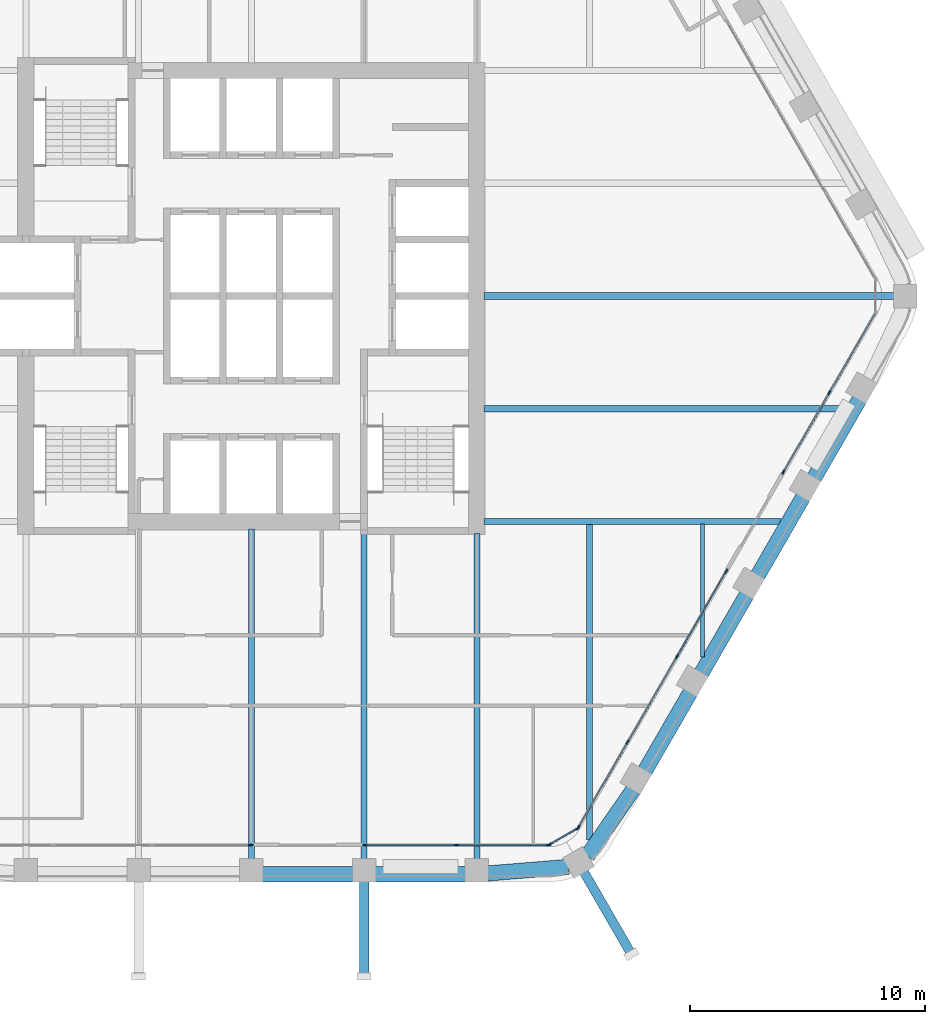
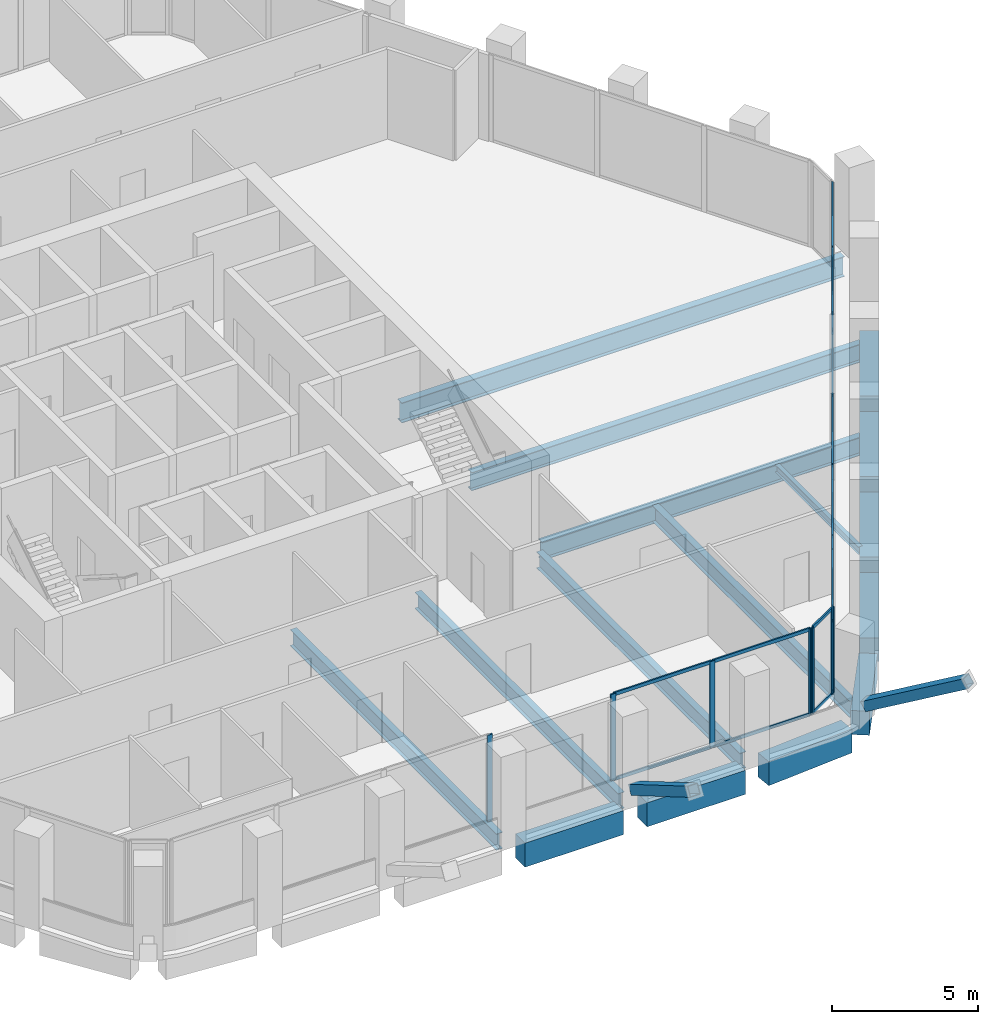
# One storey, part 4 of 16: 30 members, 16 beams, 5 elements without a shape of their own.
"""IFC4 building model written with IfcOpenShell, lengths in metres."""

from ifc_helpers import new_model, si_unit, direction, frame, origin, origin_2d, place, context, subcontext, project, spatial, rectangle, hollow_rectangle, i_section, extrude, material, material_profile, profile_set, type_object, element, aggregate, save


model = new_model("IFC4")

# Units and contexts
model_context = context("Model", 3, precision=1e-05, world=origin(), true_north=direction((0.0, 1.0)))
body_context = subcontext(model_context, "Body", "Model", "MODEL_VIEW")
ifc_project = project(units=[si_unit("LENGTHUNIT", "METRE"), si_unit("AREAUNIT", "SQUARE_METRE"), si_unit("VOLUMEUNIT", "CUBIC_METRE"), si_unit("PLANEANGLEUNIT", "RADIAN"), si_unit("MASSUNIT", "GRAM", prefix="KILO")], contexts=[model_context])

# Site, building, storey
site_placement = place(None, origin())
site = spatial("IfcSite", under=ifc_project, at=site_placement, CompositionType="ELEMENT")
building_placement = place(site_placement, origin())
building = spatial("IfcBuilding", under=site, at=building_placement, Name="Kolab Exchange Tower", CompositionType="ELEMENT")
storey_placement = place(building_placement, frame((0.0, 0.0, 209.0)))
storey = spatial("IfcBuildingStorey", under=building, at=storey_placement, Name="L45", CompositionType="ELEMENT", Elevation=209.0)

# Beams
ifc_material_1 = material(Name="Steel S355", Category="steel")
ifc_material_profile_1 = material_profile(ifc_material_1, i_section(OverallWidth=0.1650390625, OverallDepth=0.31005859375, WebThickness=0.005859375, FlangeThickness=0.009765625, at=origin_2d()), Name="W310X39")
ifc_profile_set_1 = profile_set([ifc_material_profile_1], Name="Steel S355")
beam_type_1 = type_object("IfcBeamType", Name="FLOOR BEAM W310X39", PredefinedType="BEAM", material=ifc_profile_set_1)
beam_1_placement = place(storey_placement, frame((19.199951171875, -15.36767578125, -0.304931640625), z_axis=(0.0, 1.0, 0.0), x_axis=(-1.0, 0.0, 0.0)))
element("IfcBeam", 1, at=beam_1_placement, inside=storey, type_object=beam_type_1, Name="beam/L45/fr/022", PredefinedType="BEAM", context=body_context, shape_type="SweptSolid", body=[
    extrude(i_section(OverallWidth=0.1650390625, OverallDepth=0.31005859375, WebThickness=0.005859375, FlangeThickness=0.009765625, at=origin_2d()), origin(), (0.0, 0.0, 1.0), 5.674072265625),
])
ifc_material_profile_2 = material_profile(ifc_material_1, i_section(OverallWidth=0.25390625, OverallDepth=0.68408203125, WebThickness=0.012451171875, FlangeThickness=0.018798828125, at=origin_2d()), Name="W690X140")
ifc_profile_set_2 = profile_set([ifc_material_profile_2], Name="Steel S355")
beam_type_2 = type_object("IfcBeamType", Name="FLOOR BEAM W690X140", PredefinedType="BEAM", material=ifc_profile_set_2)
beam_2_placement = place(storey_placement, frame((0.0, -23.9814453125, -0.491943359375), z_axis=(0.0, 1.0, 0.0), x_axis=(-1.0, 0.0, 0.0)))
element("IfcBeam", 2, at=beam_2_placement, inside=storey, type_object=beam_type_2, Name="beam/L45/fr/011", PredefinedType="BEAM", context=body_context, shape_type="SweptSolid", body=[
    extrude(i_section(OverallWidth=0.25390625, OverallDepth=0.68408203125, WebThickness=0.012451171875, FlangeThickness=0.018798828125, at=origin_2d()), origin(), (0.0, 0.0, 1.0), 14.071533203125),
])
for number, where, z_axis, x_axis, name in (
    (3, (4.800048828125, -23.9814453125, -0.491943359375), (0.0, 1.0, 0.0), (-1.0, 0.0, 0.0), "beam/L45/fr/013"),
    (4, (9.60009765625, -23.9814453125, -0.491943359375), (0.0, 1.0, 0.0), (-1.0, 0.0, 0.0), "beam/L45/fr/015"),
):
    element("IfcBeam", number, at=place(storey_placement, frame(where, z_axis=z_axis, x_axis=x_axis)), inside=storey, type_object=beam_type_2, Name=name, PredefinedType="BEAM", context=body_context, shape_type="SweptSolid", body=[
        extrude(i_section(OverallWidth=0.25390625, OverallDepth=0.68408203125, WebThickness=0.012451171875, FlangeThickness=0.018798828125, at=origin_2d()), origin(), (0.0, 0.0, 1.0), 13.871337890625),
    ])
beam_3_placement = place(storey_placement, frame((14.39990234375, -23.15576171875, -0.491943359375), z_axis=(0.0, 1.0, 0.0), x_axis=(-1.0, 0.0, 0.0)))
element("IfcBeam", 5, at=beam_3_placement, inside=storey, type_object=beam_type_2, Name="beam/L45/fr/020", PredefinedType="BEAM", context=body_context, shape_type="SweptSolid", body=[
    extrude(i_section(OverallWidth=0.25390625, OverallDepth=0.68408203125, WebThickness=0.012451171875, FlangeThickness=0.018798828125, at=origin_2d()), origin(), (0.0, 0.0, 1.0), 13.462158203125),
])
ifc_material_profile_3 = material_profile(ifc_material_1, i_section(OverallWidth=0.26708984375, OverallDepth=0.761962890625, WebThickness=0.014404296875, FlangeThickness=0.021484375, at=origin_2d()), Name="W760X173")
ifc_profile_set_3 = profile_set([ifc_material_profile_3], Name="Steel S355")
beam_type_3 = type_object("IfcBeamType", Name="FLOOR BEAM W760X173", PredefinedType="BEAM", material=ifc_profile_set_3)
beam_4_placement = place(storey_placement, frame((9.909912109375, -4.800048828125, -0.531005859375), z_axis=(1.0, 0.0, 0.0), x_axis=(0.0, 1.0, 0.0)))
element("IfcBeam", 6, at=beam_4_placement, inside=storey, type_object=beam_type_3, Name="beam/L45/fr/017", PredefinedType="BEAM", context=body_context, shape_type="SweptSolid", body=[
    extrude(i_section(OverallWidth=0.26708984375, OverallDepth=0.761962890625, WebThickness=0.014404296875, FlangeThickness=0.021484375, at=origin_2d()), origin(), (0.0, 0.0, 1.0), 15.408203125),
])
ifc_material_profile_4 = material_profile(ifc_material_1, i_section(OverallWidth=0.2919921875, OverallDepth=0.840087890625, WebThickness=0.0146484375, FlangeThickness=0.021728515625, at=origin_2d()), Name="W840X193")
ifc_profile_set_4 = profile_set([ifc_material_profile_4], Name="Steel S355")
beam_type_4 = type_object("IfcBeamType", Name="FLOOR BEAM W840X193", PredefinedType="BEAM", material=ifc_profile_set_4)
beam_5_placement = place(storey_placement, frame((9.909912109375, 0.0, -0.570068359375), z_axis=(1.0, 0.0, 0.0), x_axis=(0.0, 1.0, 0.0)))
element("IfcBeam", 7, at=beam_5_placement, inside=storey, type_object=beam_type_4, Name="beam/L45/fr/018", PredefinedType="BEAM", context=body_context, shape_type="SweptSolid", body=[
    extrude(i_section(OverallWidth=0.2919921875, OverallDepth=0.840087890625, WebThickness=0.0146484375, FlangeThickness=0.021728515625, at=origin_2d()), origin(), (0.0, 0.0, 1.0), 17.466064453125),
])
ifc_material_profile_5 = material_profile(ifc_material_1, i_section(OverallWidth=0.26708984375, OverallDepth=0.761962890625, WebThickness=0.014404296875, FlangeThickness=0.021484375, at=origin_2d()), Name="W760X173")
ifc_profile_set_5 = profile_set([ifc_material_profile_5], Name="Steel S355")
beam_type_5 = type_object("IfcBeamType", Name="FLOOR GIRDER W760X173", PredefinedType="BEAM", material=ifc_profile_set_5)
beam_6_placement = place(storey_placement, frame((9.909912109375, -9.60009765625, -0.531005859375), z_axis=(1.0, 0.0, 0.0), x_axis=(0.0, 1.0, 0.0)))
element("IfcBeam", 8, at=beam_6_placement, inside=storey, type_object=beam_type_5, Name="beam/L45/gd/002", PredefinedType="BEAM", context=body_context, shape_type="SweptSolid", body=[
    extrude(i_section(OverallWidth=0.26708984375, OverallDepth=0.761962890625, WebThickness=0.014404296875, FlangeThickness=0.021484375, at=origin_2d()), origin(), (0.0, 0.0, 1.0), 12.636962890625),
])

# Members
ifc_material_profile_6 = material_profile(ifc_material_1, hollow_rectangle(XDim=0.39990234375, YDim=0.39990234375, WallThickness=0.02001953125, at=origin_2d()), Name="HSS400X400X20")
ifc_profile_set_6 = profile_set([ifc_material_profile_6], Name="Steel S355")
member_type_1 = type_object("IfcMemberType", Name="LEDGE STRUT HSS400X400X20", PredefinedType="STRUT", material=ifc_profile_set_6)
member_1_placement = place(storey_placement, frame((14.14794921875, -24.5048828125, 0.60009765625), z_axis=(0.431366436313, -0.74714919009, 0.505659060406), x_axis=(0.866025579307, 0.499999695987, 0.0)))
element("IfcMember", 9, at=member_1_placement, inside=storey, type_object=member_type_1, Name="mem/L45/ledge/strut-0", PredefinedType="STRUT", context=body_context, shape_type="SweptSolid", body=[
    extrude(hollow_rectangle(XDim=0.39990234375, YDim=0.39990234375, WallThickness=0.02001953125, at=origin_2d()), origin(), (0.0, 0.0, 1.0), 4.682861328125),
])
member_2_placement = place(storey_placement, frame((4.800048828125, -24.901611328125, 0.60009765625), z_axis=(0.0, -0.862719931648, 0.505682034027), x_axis=(1.0, 0.0, 0.0)))
element("IfcMember", 10, at=member_2_placement, inside=storey, type_object=member_type_1, Name="mem/L45/ledge/strut-1", PredefinedType="STRUT", context=body_context, shape_type="SweptSolid", body=[
    extrude(hollow_rectangle(XDim=0.39990234375, YDim=0.39990234375, WallThickness=0.02001953125, at=origin_2d()), origin(), (0.0, 0.0, 1.0), 4.6826171875),
])

# Beams
ifc_material_2 = material(Name="Concrete C60/75", Category="concrete")
ifc_material_profile_7 = material_profile(ifc_material_2, rectangle(XDim=0.64990234375, YDim=1.0, at=origin_2d()), Name="RC650X1000")
ifc_profile_set_7 = profile_set([ifc_material_profile_7], Name="Concrete C60/75")
beam_type_6 = type_object("IfcBeamType", Name="SPANDREL BEAM 650X1000 C60/75", PredefinedType="BEAM", material=ifc_profile_set_7)
for number, where, z_axis, x_axis, name in (
    (11, (25.888427734375, -4.392822265625, -0.64990234375), (-0.499996613652, -0.866027358884, 0.0), (0.866027358884, -0.499996613652, 0.0), "beam/L45/sp/F3-02"),
    (12, (23.488525390625, -8.5498046875, -0.64990234375), (-0.499996613652, -0.866027358884, 0.0), (0.866027358884, -0.499996613652, 0.0), "beam/L45/sp/F3-03"),
):
    element("IfcBeam", number, at=place(storey_placement, frame(where, z_axis=z_axis, x_axis=x_axis)), inside=storey, type_object=beam_type_6, Name=name, PredefinedType="BEAM", context=body_context, shape_type="SweptSolid", body=[
        extrude(rectangle(XDim=0.64990234375, YDim=1.0, at=origin_2d()), origin(), (0.0, 0.0, 1.0), 3.8798828125),
    ])
beam_7_placement = place(storey_placement, frame((21.088623046875, -12.70654296875, -0.64990234375), z_axis=(-0.50001655835, -0.866015843605, 0.0), x_axis=(0.866015843605, -0.50001655835, 0.0)))
element("IfcBeam", 13, at=beam_7_placement, inside=storey, type_object=beam_type_6, Name="beam/L45/sp/F3-04", PredefinedType="BEAM", context=body_context, shape_type="SweptSolid", body=[
    extrude(rectangle(XDim=0.64990234375, YDim=1.0, at=origin_2d()), origin(), (0.0, 0.0, 1.0), 3.880126953125),
])
beam_8_placement = place(storey_placement, frame((18.6884765625, -16.863525390625, -0.64990234375), z_axis=(-0.499996613652, -0.866027358884, 0.0), x_axis=(0.866027358884, -0.499996613652, 0.0)))
element("IfcBeam", 14, at=beam_8_placement, inside=storey, type_object=beam_type_6, Name="beam/L45/sp/F3-05", PredefinedType="BEAM", context=body_context, shape_type="SweptSolid", body=[
    extrude(rectangle(XDim=0.64990234375, YDim=1.0, at=origin_2d()), origin(), (0.0, 0.0, 1.0), 3.8798828125),
])
for number, where, z_axis, x_axis, name in (
    (15, (16.256103515625, -21.001953125, -0.64990234375), (-0.568572281073, -0.822633309073, 0.0), (0.822633309073, -0.568572281073, 0.0), "beam/L45/sp/F3-06"),
    (16, (13.493896484375, -24.2998046875, -0.64990234375), (-0.996708497182, -0.081068931445, 0.0), (0.081068931445, -0.996708497182, 0.0), "beam/L45/sp/F4-01"),
):
    element("IfcBeam", number, at=place(storey_placement, frame(where, z_axis=z_axis, x_axis=x_axis)), inside=storey, type_object=beam_type_6, Name=name, PredefinedType="BEAM", context=body_context, shape_type="SweptSolid", body=[
        extrude(rectangle(XDim=0.64990234375, YDim=1.0, at=origin_2d()), origin(), (0.0, 0.0, 1.0), 3.445068359375),
    ])
beam_9_placement = place(storey_placement, frame((9.139892578125, -24.616455078125, -0.64990234375), z_axis=(-1.0, 0.0, 0.0), x_axis=(0.0, -1.0, 0.0)))
element("IfcBeam", 17, at=beam_9_placement, inside=storey, type_object=beam_type_6, Name="beam/L45/sp/F4-02", PredefinedType="BEAM", context=body_context, shape_type="SweptSolid", body=[
    extrude(rectangle(XDim=0.64990234375, YDim=1.0, at=origin_2d()), origin(), (0.0, 0.0, 1.0), 3.8798828125),
])
beam_10_placement = place(storey_placement, frame((4.340087890625, -24.616455078125, -0.64990234375), z_axis=(-1.0, 0.0, 0.0), x_axis=(0.0, -1.0, 0.0)))
element("IfcBeam", 18, at=beam_10_placement, inside=storey, type_object=beam_type_6, Name="beam/L45/sp/F4-03", PredefinedType="BEAM", context=body_context, shape_type="SweptSolid", body=[
    extrude(rectangle(XDim=0.64990234375, YDim=1.0, at=origin_2d()), origin(), (0.0, 0.0, 1.0), 3.880126953125),
])

# Curtain wall, members
ifc_material_3 = material(Name="Aluminium EN AW-6063 T6", Category="aluminium")
curtain_wall_type = type_object("IfcCurtainWallType", Name="UNITISED UPPER MID ZONE CURTAIN WALL", PredefinedType="NOTDEFINED", material=ifc_material_3)
curtain_wall_1_placement = place(storey_placement, origin())
curtain_wall_1 = element("IfcCurtainWall", 19, at=curtain_wall_1_placement, inside=storey, type_object=curtain_wall_type, Name="cw/L45/F3-1", PredefinedType="NOTDEFINED")
ifc_material_profile_8 = material_profile(ifc_material_3, rectangle(XDim=0.06005859375, YDim=0.199951171875, at=origin_2d()), Name="RECT 60X200")
ifc_profile_set_8 = profile_set([ifc_material_profile_8], Name="Aluminium EN AW-6063 T6")
member_type_2 = type_object("IfcMemberType", Name="UNITISED UPPER MID ZONE MULLION 60 X 200", PredefinedType="MULLION", material=ifc_profile_set_8)
member_3_placement = place(storey_placement, frame((24.5986328125, -4.116943359375, 0.0), z_axis=(0.0, 0.0, 1.0), x_axis=(0.866025440524, -0.499999936366, 0.0)))
member_3 = element("IfcMember", 20, at=member_3_placement, type_object=member_type_2, Name="CW3 mullion 2", PredefinedType="MULLION", context=body_context, shape_type="SweptSolid", body=[
    extrude(rectangle(XDim=0.06005859375, YDim=0.199951171875, at=origin_2d()), origin(), (0.0, 0.0, 1.0), 3.60009765625),
])
member_4_placement = place(storey_placement, frame((22.646728515625, -7.497802734375, 0.0), z_axis=(0.0, 0.0, 1.0), x_axis=(0.866025440524, -0.499999936366, 0.0)))
member_4 = element("IfcMember", 21, at=member_4_placement, type_object=member_type_2, Name="CW3 mullion 3", PredefinedType="MULLION", context=body_context, shape_type="SweptSolid", body=[
    extrude(rectangle(XDim=0.06005859375, YDim=0.199951171875, at=origin_2d()), origin(), (0.0, 0.0, 1.0), 3.60009765625),
])

curtain_wall_2_placement = place(storey_placement, origin())
curtain_wall_2 = element("IfcCurtainWall", 22, at=curtain_wall_2_placement, inside=storey, type_object=curtain_wall_type, Name="cw/L45/F3-2", PredefinedType="NOTDEFINED")
member_5_placement = place(storey_placement, frame((20.216796875, -11.706787109375, 0.0), z_axis=(0.0, 0.0, 1.0), x_axis=(0.866025393644, -0.500000017564, 0.0)))
member_5 = element("IfcMember", 23, at=member_5_placement, type_object=member_type_2, Name="CW3 mullion 1", PredefinedType="MULLION", context=body_context, shape_type="SweptSolid", body=[
    extrude(rectangle(XDim=0.06005859375, YDim=0.199951171875, at=origin_2d()), origin(), (0.0, 0.0, 1.0), 3.60009765625),
])
member_6_placement = place(storey_placement, frame((18.120361328125, -15.337646484375, 0.0), z_axis=(0.0, 0.0, 1.0), x_axis=(0.866025393644, -0.500000017564, 0.0)))
member_6 = element("IfcMember", 24, at=member_6_placement, type_object=member_type_2, Name="CW3 mullion 2", PredefinedType="MULLION", context=body_context, shape_type="SweptSolid", body=[
    extrude(rectangle(XDim=0.06005859375, YDim=0.199951171875, at=origin_2d()), origin(), (0.0, 0.0, 1.0), 3.60009765625),
])
member_7_placement = place(storey_placement, frame((16.009033203125, -18.99462890625, 0.0), z_axis=(0.0, 0.0, 1.0), x_axis=(0.866025393644, -0.500000017564, 0.0)))
member_7 = element("IfcMember", 25, at=member_7_placement, type_object=member_type_2, Name="CW3 mullion 3", PredefinedType="MULLION", context=body_context, shape_type="SweptSolid", body=[
    extrude(rectangle(XDim=0.06005859375, YDim=0.199951171875, at=origin_2d()), origin(), (0.0, 0.0, 1.0), 3.60009765625),
])
member_8_placement = place(storey_placement, frame((13.91259765625, -22.62548828125, 0.0), z_axis=(0.0, 0.0, 1.0), x_axis=(0.866025393644, -0.500000017564, 0.0)))
member_8 = element("IfcMember", 26, at=member_8_placement, type_object=member_type_2, Name="CW3 mullion 4", PredefinedType="MULLION", context=body_context, shape_type="SweptSolid", body=[
    extrude(rectangle(XDim=0.06005859375, YDim=0.199951171875, at=origin_2d()), origin(), (0.0, 0.0, 1.0), 3.60009765625),
])

curtain_wall_3_placement = place(storey_placement, origin())
curtain_wall_3 = element("IfcCurtainWall", 27, at=curtain_wall_3_placement, inside=storey, type_object=curtain_wall_type, Name="cw/L45/F4-1", PredefinedType="NOTDEFINED")
member_9_placement = place(storey_placement, frame((12.637939453125, -23.361572265625, 0.0), z_axis=(0.0, 0.0, 1.0), x_axis=(0.0, -1.0, 0.0)))
member_9 = element("IfcMember", 28, at=member_9_placement, type_object=member_type_2, Name="CW3 mullion 1", PredefinedType="MULLION", context=body_context, shape_type="SweptSolid", body=[
    extrude(rectangle(XDim=0.06005859375, YDim=0.199951171875, at=origin_2d()), origin(), (0.0, 0.0, 1.0), 3.60009765625),
])
member_10_placement = place(storey_placement, frame((8.73388671875, -23.361572265625, 0.0), z_axis=(0.0, 0.0, 1.0), x_axis=(0.0, -1.0, 0.0)))
member_10 = element("IfcMember", 29, at=member_10_placement, type_object=member_type_2, Name="CW3 mullion 2", PredefinedType="MULLION", context=body_context, shape_type="SweptSolid", body=[
    extrude(rectangle(XDim=0.06005859375, YDim=0.199951171875, at=origin_2d()), origin(), (0.0, 0.0, 1.0), 3.60009765625),
])
member_11_placement = place(storey_placement, frame((4.830078125, -23.361572265625, 0.0), z_axis=(0.0, 0.0, 1.0), x_axis=(0.0, -1.0, 0.0)))
member_11 = element("IfcMember", 30, at=member_11_placement, type_object=member_type_2, Name="CW3 mullion 3", PredefinedType="MULLION", context=body_context, shape_type="SweptSolid", body=[
    extrude(rectangle(XDim=0.06005859375, YDim=0.199951171875, at=origin_2d()), origin(), (0.0, 0.0, 1.0), 3.60009765625),
])

# Curtain wall, member
curtain_wall_4_placement = place(storey_placement, origin())
curtain_wall_4 = element("IfcCurtainWall", 31, at=curtain_wall_4_placement, inside=storey, type_object=curtain_wall_type, Name="cw/L45/F4-2", PredefinedType="NOTDEFINED")
member_12_placement = place(storey_placement, frame((-0.030029296875, -23.361572265625, 0.0), z_axis=(0.0, 0.0, 1.0), x_axis=(0.0, -1.0, 0.0)))
member_12 = element("IfcMember", 32, at=member_12_placement, type_object=member_type_2, Name="CW3 mullion 1", PredefinedType="MULLION", context=body_context, shape_type="SweptSolid", body=[
    extrude(rectangle(XDim=0.06005859375, YDim=0.199951171875, at=origin_2d()), origin(), (0.0, 0.0, 1.0), 3.60009765625),
])
aggregate(curtain_wall_4, [member_12])

# Curtain wall, members
curtain_wall_5_placement = place(storey_placement, origin())
curtain_wall_5 = element("IfcCurtainWall", 33, at=curtain_wall_5_placement, inside=storey, type_object=curtain_wall_type, Name="cw/L45/F3F4-corner", PredefinedType="NOTDEFINED")
member_13_placement = place(storey_placement, frame((13.871826171875, -22.66650390625, 0.0), z_axis=(0.0, 0.0, 1.0), x_axis=(0.50000002237, -0.866025390869, 0.0)))
member_13 = element("IfcMember", 34, at=member_13_placement, type_object=member_type_2, Name="CW3 mullion 1", PredefinedType="MULLION", context=body_context, shape_type="SweptSolid", body=[
    extrude(rectangle(XDim=0.06005859375, YDim=0.199951171875, at=origin_2d()), origin(), (0.0, 0.0, 1.0), 3.60009765625),
])
member_14_placement = place(storey_placement, frame((12.69384765625, -23.346435546875, 0.0), z_axis=(0.0, 0.0, 1.0), x_axis=(0.50000002237, -0.866025390869, 0.0)))
member_14 = element("IfcMember", 35, at=member_14_placement, type_object=member_type_2, Name="CW3 mullion 2", PredefinedType="MULLION", context=body_context, shape_type="SweptSolid", body=[
    extrude(rectangle(XDim=0.06005859375, YDim=0.199951171875, at=origin_2d()), origin(), (0.0, 0.0, 1.0), 3.60009765625),
])

# Member
ifc_material_profile_9 = material_profile(ifc_material_3, rectangle(XDim=0.06005859375, YDim=0.139892578125, at=origin_2d()), Name="RECT 60X140")
ifc_profile_set_9 = profile_set([ifc_material_profile_9], Name="Aluminium EN AW-6063 T6")
member_type_3 = type_object("IfcMemberType", Name="UNITISED UPPER MID ZONE TRANSOM 60 X 140", PredefinedType="USERDEFINED", material=ifc_profile_set_9)
member_15_placement = place(storey_placement, frame((26.53564453125, -0.761962890625, 0.030029296875), z_axis=(-0.499991857942, -0.866030104553, 0.0), x_axis=(0.866030104553, -0.499991857942, 0.0)))
member_15 = element("IfcMember", 36, at=member_15_placement, type_object=member_type_3, Name="CW3 transom 1.1", ObjectType="TRANSOM", PredefinedType="USERDEFINED", context=body_context, shape_type="SweptSolid", body=[
    extrude(rectangle(XDim=0.06005859375, YDim=0.139892578125, at=origin_2d()), origin(), (0.0, 0.0, 1.0), 3.84375),
])

member_16_placement = place(storey_placement, frame((26.53564453125, -0.761962890625, 3.570068359375), z_axis=(-0.499991857942, -0.866030104553, 0.0), x_axis=(0.866030104553, -0.499991857942, 0.0)))
member_16 = element("IfcMember", 37, at=member_16_placement, type_object=member_type_3, Name="CW3 transom 1.2", ObjectType="TRANSOM", PredefinedType="USERDEFINED", context=body_context, shape_type="SweptSolid", body=[
    extrude(rectangle(XDim=0.06005859375, YDim=0.139892578125, at=origin_2d()), origin(), (0.0, 0.0, 1.0), 3.84375),
])

member_17_placement = place(storey_placement, frame((24.583740234375, -4.142822265625, 0.030029296875), z_axis=(-0.500011990396, -0.866018481016, 0.0), x_axis=(0.866018481016, -0.500011990396, 0.0)))
member_17 = element("IfcMember", 38, at=member_17_placement, type_object=member_type_3, Name="CW3 transom 2.1", ObjectType="TRANSOM", PredefinedType="USERDEFINED", context=body_context, shape_type="SweptSolid", body=[
    extrude(rectangle(XDim=0.06005859375, YDim=0.139892578125, at=origin_2d()), origin(), (0.0, 0.0, 1.0), 3.84423828125),
])

member_18_placement = place(storey_placement, frame((24.583740234375, -4.142822265625, 3.570068359375), z_axis=(-0.500011990396, -0.866018481016, 0.0), x_axis=(0.866018481016, -0.500011990396, 0.0)))
member_18 = element("IfcMember", 39, at=member_18_placement, type_object=member_type_3, Name="CW3 transom 2.2", ObjectType="TRANSOM", PredefinedType="USERDEFINED", context=body_context, shape_type="SweptSolid", body=[
    extrude(rectangle(XDim=0.06005859375, YDim=0.139892578125, at=origin_2d()), origin(), (0.0, 0.0, 1.0), 3.84423828125),
])

aggregate(curtain_wall_1, [member_3, member_4, member_15, member_16, member_17, member_18])

member_19_placement = place(storey_placement, frame((20.20166015625, -11.732666015625, 0.030029296875), z_axis=(-0.500001996123, -0.866024251319, 0.0), x_axis=(0.866024251319, -0.500001996123, 0.0)))
member_19 = element("IfcMember", 40, at=member_19_placement, type_object=member_type_3, Name="CW3 transom 1.1", ObjectType="TRANSOM", PredefinedType="USERDEFINED", context=body_context, shape_type="SweptSolid", body=[
    extrude(rectangle(XDim=0.06005859375, YDim=0.139892578125, at=origin_2d()), origin(), (0.0, 0.0, 1.0), 4.1328125),
])

member_20_placement = place(storey_placement, frame((20.20166015625, -11.732666015625, 3.570068359375), z_axis=(-0.500001996123, -0.866024251319, 0.0), x_axis=(0.866024251319, -0.500001996123, 0.0)))
member_20 = element("IfcMember", 41, at=member_20_placement, type_object=member_type_3, Name="CW3 transom 1.2", ObjectType="TRANSOM", PredefinedType="USERDEFINED", context=body_context, shape_type="SweptSolid", body=[
    extrude(rectangle(XDim=0.06005859375, YDim=0.139892578125, at=origin_2d()), origin(), (0.0, 0.0, 1.0), 4.1328125),
])

member_21_placement = place(storey_placement, frame((18.10546875, -15.36376953125, 0.030029296875), z_axis=(-0.500037208726, -0.86600392025, 0.0), x_axis=(0.86600392025, -0.500037208726, 0.0)))
member_21 = element("IfcMember", 42, at=member_21_placement, type_object=member_type_3, Name="CW3 transom 2.1", ObjectType="TRANSOM", PredefinedType="USERDEFINED", context=body_context, shape_type="SweptSolid", body=[
    extrude(rectangle(XDim=0.06005859375, YDim=0.139892578125, at=origin_2d()), origin(), (0.0, 0.0, 1.0), 4.162841796875),
])

member_22_placement = place(storey_placement, frame((18.10546875, -15.36376953125, 3.570068359375), z_axis=(-0.500037208726, -0.86600392025, 0.0), x_axis=(0.86600392025, -0.500037208726, 0.0)))
member_22 = element("IfcMember", 43, at=member_22_placement, type_object=member_type_3, Name="CW3 transom 2.2", ObjectType="TRANSOM", PredefinedType="USERDEFINED", context=body_context, shape_type="SweptSolid", body=[
    extrude(rectangle(XDim=0.06005859375, YDim=0.139892578125, at=origin_2d()), origin(), (0.0, 0.0, 1.0), 4.162841796875),
])

member_23_placement = place(storey_placement, frame((15.994140625, -19.0205078125, 0.030029296875), z_axis=(-0.500001996123, -0.866024251319, 0.0), x_axis=(0.866024251319, -0.500001996123, 0.0)))
member_23 = element("IfcMember", 44, at=member_23_placement, type_object=member_type_3, Name="CW3 transom 3.1", ObjectType="TRANSOM", PredefinedType="USERDEFINED", context=body_context, shape_type="SweptSolid", body=[
    extrude(rectangle(XDim=0.06005859375, YDim=0.139892578125, at=origin_2d()), origin(), (0.0, 0.0, 1.0), 4.1328125),
])

member_24_placement = place(storey_placement, frame((15.994140625, -19.0205078125, 3.570068359375), z_axis=(-0.500001996123, -0.866024251319, 0.0), x_axis=(0.866024251319, -0.500001996123, 0.0)))
member_24 = element("IfcMember", 45, at=member_24_placement, type_object=member_type_3, Name="CW3 transom 3.2", ObjectType="TRANSOM", PredefinedType="USERDEFINED", context=body_context, shape_type="SweptSolid", body=[
    extrude(rectangle(XDim=0.06005859375, YDim=0.139892578125, at=origin_2d()), origin(), (0.0, 0.0, 1.0), 4.1328125),
])

aggregate(curtain_wall_2, [member_5, member_6, member_7, member_8, member_19, member_20, member_21, member_22, member_23, member_24])

member_25_placement = place(storey_placement, frame((12.60791015625, -23.361572265625, 0.030029296875), z_axis=(-1.0, 0.0, 0.0), x_axis=(0.0, -1.0, 0.0)))
member_25 = element("IfcMember", 46, at=member_25_placement, type_object=member_type_3, Name="CW3 transom 1.1", ObjectType="TRANSOM", PredefinedType="USERDEFINED", context=body_context, shape_type="SweptSolid", body=[
    extrude(rectangle(XDim=0.06005859375, YDim=0.139892578125, at=origin_2d()), origin(), (0.0, 0.0, 1.0), 3.843994140625),
])

member_26_placement = place(storey_placement, frame((12.60791015625, -23.361572265625, 3.570068359375), z_axis=(-1.0, 0.0, 0.0), x_axis=(0.0, -1.0, 0.0)))
member_26 = element("IfcMember", 47, at=member_26_placement, type_object=member_type_3, Name="CW3 transom 1.2", ObjectType="TRANSOM", PredefinedType="USERDEFINED", context=body_context, shape_type="SweptSolid", body=[
    extrude(rectangle(XDim=0.06005859375, YDim=0.139892578125, at=origin_2d()), origin(), (0.0, 0.0, 1.0), 3.843994140625),
])

member_27_placement = place(storey_placement, frame((8.703857421875, -23.361572265625, 0.030029296875), z_axis=(-1.0, 0.0, 0.0), x_axis=(0.0, -1.0, 0.0)))
member_27 = element("IfcMember", 48, at=member_27_placement, type_object=member_type_3, Name="CW3 transom 2.1", ObjectType="TRANSOM", PredefinedType="USERDEFINED", context=body_context, shape_type="SweptSolid", body=[
    extrude(rectangle(XDim=0.06005859375, YDim=0.139892578125, at=origin_2d()), origin(), (0.0, 0.0, 1.0), 3.84375),
])

member_28_placement = place(storey_placement, frame((8.703857421875, -23.361572265625, 3.570068359375), z_axis=(-1.0, 0.0, 0.0), x_axis=(0.0, -1.0, 0.0)))
member_28 = element("IfcMember", 49, at=member_28_placement, type_object=member_type_3, Name="CW3 transom 2.2", ObjectType="TRANSOM", PredefinedType="USERDEFINED", context=body_context, shape_type="SweptSolid", body=[
    extrude(rectangle(XDim=0.06005859375, YDim=0.139892578125, at=origin_2d()), origin(), (0.0, 0.0, 1.0), 3.84375),
])

aggregate(curtain_wall_3, [member_9, member_10, member_11, member_25, member_26, member_27, member_28])

member_29_placement = place(storey_placement, frame((13.845703125, -22.681640625, 0.030029296875), z_axis=(-0.86603858612, -0.49997716683, 0.0), x_axis=(0.49997716683, -0.86603858612, 0.0)))
member_29 = element("IfcMember", 50, at=member_29_placement, type_object=member_type_3, Name="CW3 transom 1.1", ObjectType="TRANSOM", PredefinedType="USERDEFINED", context=body_context, shape_type="SweptSolid", body=[
    extrude(rectangle(XDim=0.06005859375, YDim=0.139892578125, at=origin_2d()), origin(), (0.0, 0.0, 1.0), 1.2998046875),
])

member_30_placement = place(storey_placement, frame((13.845703125, -22.681640625, 3.570068359375), z_axis=(-0.86603858612, -0.49997716683, 0.0), x_axis=(0.49997716683, -0.86603858612, 0.0)))
member_30 = element("IfcMember", 51, at=member_30_placement, type_object=member_type_3, Name="CW3 transom 1.2", ObjectType="TRANSOM", PredefinedType="USERDEFINED", context=body_context, shape_type="SweptSolid", body=[
    extrude(rectangle(XDim=0.06005859375, YDim=0.139892578125, at=origin_2d()), origin(), (0.0, 0.0, 1.0), 1.2998046875),
])

aggregate(curtain_wall_5, [member_13, member_14, member_29, member_30])

save(model, "model.ifc")
